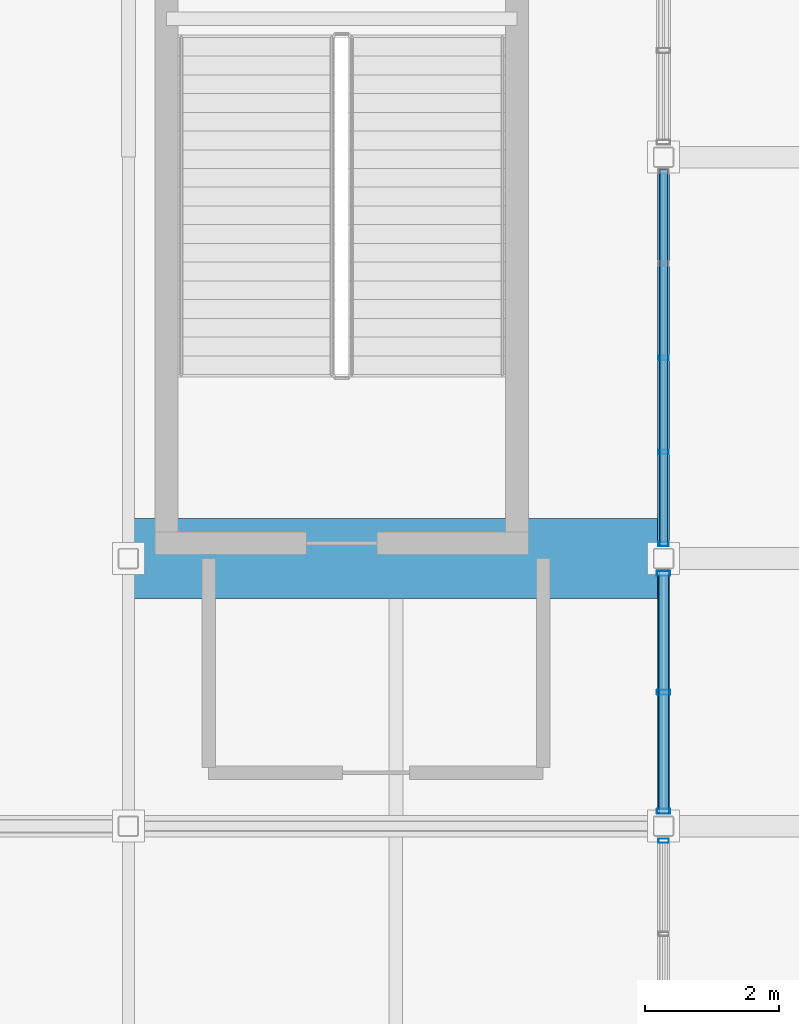
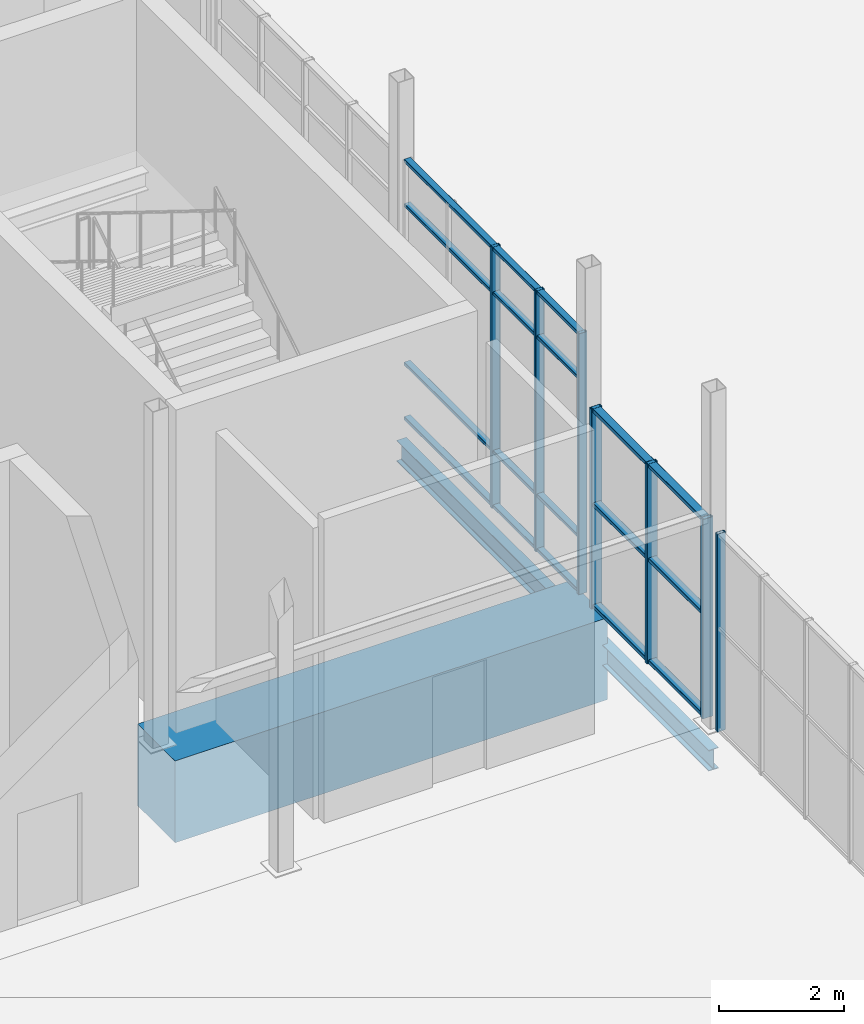
# One storey, part 33 of 140: 14 members, 3 beams, 3 elements without a shape of their own.
"""IFC4 building model written with IfcOpenShell, lengths in metres."""

import ifcopenshell
import ifcopenshell.guid

model = None  # the IFC model being written
_history = None  # IfcOwnerHistory: only IFC2X3 demands one
_inside = {}  # id of a spatial element -> (the spatial element, [elements in it])
_under = {}  # id of a project, library or spatial element -> (it, [spatial elements below it])
_declared = {}  # id of a project -> (the project, [libraries it declares])
_typed = {}  # id of a type object -> (the type object, [elements of that type])
_made_of = {}  # id of a material, layer set ... -> (it, [elements and type objects made of it])


def new_model(schema):
    """Start an empty IFC model of exactly this schema.

    Asked for "IFC4X3", IfcOpenShell would pick the latest addendum, in which some entities
    have other attributes; the version numbers below select the first issue.
    IFC2X3 requires an IfcOwnerHistory on every rooted entity: one is made here for all.
    """
    global model, _history
    if schema == "IFC4X3":
        model = ifcopenshell.file(schema_version=(4, 3, 0, 0))
    else:
        model = ifcopenshell.file(schema=schema)
    _inside.clear()
    _under.clear()
    _declared.clear()
    _typed.clear()
    _made_of.clear()
    _history = None
    if model.schema == "IFC2X3":
        org = make("IfcOrganization", Name="unknown")
        user = make(
            "IfcPersonAndOrganization",
            ThePerson=make("IfcPerson", FamilyName="unknown"),
            TheOrganization=org,
        )
        app = make(
            "IfcApplication",
            ApplicationDeveloper=org,
            Version="unknown",
            ApplicationFullName="unknown",
            ApplicationIdentifier="unknown",
        )
        _history = make(
            "IfcOwnerHistory",
            OwningUser=user,
            OwningApplication=app,
            ChangeAction="ADDED",
            CreationDate=0,
        )
    return model


def make(cls, **values):
    """One entity of the class cls with the attributes given. An attribute that is None is left unset."""
    return model.create_entity(
        cls, **{name: value for name, value in values.items() if value is not None}
    )


def rooted(cls, **values):
    """An entity with a GlobalId (a new one), such as an element, a storey or a relation."""
    return make(cls, GlobalId=ifcopenshell.guid.new(), OwnerHistory=_history, **values)


def si_unit(unit_type, name, prefix=None):
    """IfcSIUnit, for example si_unit("LENGTHUNIT", "METRE", prefix="MILLI")."""
    return make("IfcSIUnit", UnitType=unit_type, Prefix=prefix, Name=name)


def assignment(units):
    """IfcUnitAssignment: the units of a project."""
    return None if units is None else make("IfcUnitAssignment", Units=units)


def point(xyz):
    """IfcCartesianPoint."""
    return None if xyz is None else make("IfcCartesianPoint", Coordinates=xyz)


def direction(xyz):
    """IfcDirection."""
    return None if xyz is None else make("IfcDirection", DirectionRatios=xyz)


def frame(location, z_axis=None, x_axis=None):
    """IfcAxis2Placement3D, a coordinate frame: its origin and axes. An axis left out is left unset."""
    return make(
        "IfcAxis2Placement3D",
        Location=point(location),
        Axis=direction(z_axis),
        RefDirection=direction(x_axis),
    )


def frame_2d(location, x_axis=None):
    """IfcAxis2Placement2D, a coordinate frame in the plane: its origin and x axis."""
    return make(
        "IfcAxis2Placement2D", Location=point(location), RefDirection=direction(x_axis)
    )


def origin():
    """The frame at (0, 0, 0) with its axes left unset."""
    return frame((0.0, 0.0, 0.0))


def origin_2d():
    """The frame at (0, 0) in the plane with its x axis left unset."""
    return frame_2d((0.0, 0.0))


def place(relative_to, where):
    """IfcLocalPlacement: puts the frame where relative to a parent placement (None: the world)."""
    return make(
        "IfcLocalPlacement", PlacementRelTo=relative_to, RelativePlacement=where
    )


def context(
    kind, dimensions, precision=None, world=None, true_north=None, identifier=None
):
    """IfcGeometricRepresentationContext, for example the 3D "Model" context."""
    return make(
        "IfcGeometricRepresentationContext",
        ContextIdentifier=identifier,
        ContextType=kind,
        CoordinateSpaceDimension=dimensions,
        Precision=precision,
        WorldCoordinateSystem=world,
        TrueNorth=true_north,
    )


def subcontext(parent, identifier, kind, view, scale=None):
    """IfcGeometricRepresentationSubContext, for example "Body" below "Model"."""
    return make(
        "IfcGeometricRepresentationSubContext",
        ContextIdentifier=identifier,
        ContextType=kind,
        ParentContext=parent,
        TargetScale=scale,
        TargetView=view,
    )


def project(units=None, contexts=None):
    """IfcProject with its units and contexts."""
    return rooted(
        "IfcProject",
        Name="project",
        RepresentationContexts=contexts,
        UnitsInContext=assignment(units),
    )


def spatial(cls, under=None, at=None, **own):
    """A site, building, storey or space (cls), placed at a placement, below another one or the project."""
    s = rooted(cls, ObjectPlacement=at, **own)
    if under is not None:
        _under.setdefault(under.id(), (under, []))[1].append(s)
    return s


def profile(cls, at=None, kind="AREA", **sizes):
    """A parametric profile (cls). Its sizes go by their IFC names, for example OverallWidth=200.0."""
    return make(cls, ProfileType=kind, Position=at, **sizes)


def rectangle(**sizes):
    """IfcRectangleProfileDef."""
    return profile("IfcRectangleProfileDef", **sizes)


def hollow_rectangle(**sizes):
    """IfcRectangleHollowProfileDef."""
    return profile("IfcRectangleHollowProfileDef", **sizes)


def i_section(**sizes):
    """IfcIShapeProfileDef."""
    return profile("IfcIShapeProfileDef", **sizes)


def extrude(swept, where, along, depth):
    """IfcExtrudedAreaSolid: the profile swept, set in the frame where, extruded along a direction by depth."""
    return make(
        "IfcExtrudedAreaSolid",
        SweptArea=swept,
        Position=where,
        ExtrudedDirection=direction(along),
        Depth=depth,
    )


def shape(context_of_items, identifier, shape_type, items):
    """IfcShapeRepresentation: the items that make up one representation, for example the "Body"."""
    return make(
        "IfcShapeRepresentation",
        ContextOfItems=context_of_items,
        RepresentationIdentifier=identifier,
        RepresentationType=shape_type,
        Items=items,
    )


def material(Name=None, Category=None):
    """IfcMaterial."""
    return make("IfcMaterial", Name=Name, Category=Category)


def material_profile(
    of_material, cross_section, Name=None, Category=None, Priority=None
):
    """IfcMaterialProfile: a cross section and its material."""
    return make(
        "IfcMaterialProfile",
        Name=Name,
        Material=of_material,
        Profile=cross_section,
        Priority=Priority,
        Category=Category,
    )


def profile_set(profiles, Name=None, composite=None):
    """IfcMaterialProfileSet."""
    return make(
        "IfcMaterialProfileSet",
        Name=Name,
        MaterialProfiles=profiles,
        CompositeProfile=composite,
    )


def made_of(thing, what):
    """Note that an element or type object is made of a material, layer set ...; save() writes the relation."""
    if what is not None:
        _made_of.setdefault(what.id(), (what, []))[1].append(thing)
    return thing


def type_object(cls, material=None, **own):
    """A type object (cls), such as IfcWallType, which elements share."""
    return made_of(rooted(cls, **own), material)


def element(
    cls,
    number,
    at=None,
    inside=None,
    cuts=None,
    type_object=None,
    material=None,
    context=None,
    identifier="Body",
    shape_type=None,
    held_by="IfcProductDefinitionShape",
    body=None,
    shapes=None,
    **own,
):
    """One element of the class cls, such as IfcWall. Its Tag is "e" and its number.

    at: its placement. inside: the storey or other place that contains it. cuts: it is an
    opening in that element (IfcRelVoidsElement). A single representation is given by context,
    identifier, shape_type and body (its items); several are given by shapes. held_by: the class
    of the entity that holds the representations. save() writes the other relations.
    """
    e = rooted(cls, Tag="e%d" % number, ObjectPlacement=at, **own)
    if body is not None:
        shapes = [shape(context, identifier, shape_type, body)]
    if shapes is not None:
        e.Representation = make(held_by, Representations=shapes)
    if inside is not None:
        _inside.setdefault(inside.id(), (inside, []))[1].append(e)
    if cuts is not None:
        rooted(
            "IfcRelVoidsElement", RelatingBuildingElement=cuts, RelatedOpeningElement=e
        )
    if type_object is not None:
        _typed.setdefault(type_object.id(), (type_object, []))[1].append(e)
    return made_of(e, material)


def aggregate(whole, parts):
    """IfcRelAggregates: a whole, such as a stair, and the parts it consists of."""
    return rooted("IfcRelAggregates", RelatingObject=whole, RelatedObjects=parts)


def save(model, path):
    """Write the relations noted so far, then the file.

    IfcRelAggregates (storeys below a building ...), IfcRelContainedInSpatialStructure (elements
    in a storey), IfcRelDefinesByType, IfcRelAssociatesMaterial and IfcRelDeclares: one each for
    every whole, place, type object, material and project.
    """
    for whole, parts in _under.values():
        aggregate(whole, parts)
    for where, things in _inside.values():
        rooted(
            "IfcRelContainedInSpatialStructure",
            RelatedElements=things,
            RelatingStructure=where,
        )
    for kind, things in _typed.values():
        rooted("IfcRelDefinesByType", RelatedObjects=things, RelatingType=kind)
    for what, things in _made_of.values():
        rooted("IfcRelAssociatesMaterial", RelatedObjects=things, RelatingMaterial=what)
    for by, libraries in _declared.values():
        rooted("IfcRelDeclares", RelatingContext=by, RelatedDefinitions=libraries)
    model.write(path)


model = new_model("IFC4")

# Units and contexts
model_context = context("Model", 3, precision=1e-05, world=origin(), true_north=direction((0.0, 1.0)))
body_context = subcontext(model_context, "Body", "Model", "MODEL_VIEW")
ifc_project = project(units=[si_unit("LENGTHUNIT", "METRE"), si_unit("AREAUNIT", "SQUARE_METRE"), si_unit("VOLUMEUNIT", "CUBIC_METRE"), si_unit("PLANEANGLEUNIT", "RADIAN"), si_unit("MASSUNIT", "GRAM", prefix="KILO")], contexts=[model_context])

# Site, building, storey
site_placement = place(None, origin())
site = spatial("IfcSite", under=ifc_project, at=site_placement, CompositionType="ELEMENT")
building_placement = place(site_placement, origin())
building = spatial("IfcBuilding", under=site, at=building_placement, Name="Verrall Gate Interchange", CompositionType="ELEMENT")
storey_placement = place(building_placement, origin())
storey = spatial("IfcBuildingStorey", under=building, at=storey_placement, Name="L01", CompositionType="ELEMENT", Elevation=0.0)

# Beams
ifc_material_1 = material(Name="Structural Steel CSA G40.21 350W", Category="steel")
ifc_material_profile_1 = material_profile(ifc_material_1, i_section(OverallWidth=0.178955078125, OverallDepth=0.409912109375, WebThickness=0.0087890625, FlangeThickness=0.014404296875, FilletRadius=0.011962890625, at=origin_2d()), Name="W410x67")
ifc_profile_set_1 = profile_set([ifc_material_profile_1], Name="Structural Steel CSA G40.21 350W")
beam_type_1 = type_object("IfcBeamType", Name="B-12 Structural Beam W410x67", PredefinedType="BEAM", material=ifc_profile_set_1)
beam_1_placement = place(storey_placement, frame((108.0, 12.0, -0.705078125), z_axis=(0.0, 1.0, 0.0), x_axis=(-1.0, 0.0, 0.0)))
element("IfcBeam", 1, at=beam_1_placement, inside=storey, type_object=beam_type_1, Name="L01 Girder BM-L01-1171 (B-12)", PredefinedType="BEAM", context=body_context, shape_type="SweptSolid", body=[
    extrude(i_section(OverallWidth=0.178955078125, OverallDepth=0.409912109375, WebThickness=0.0087890625, FlangeThickness=0.014404296875, FilletRadius=0.011962890625, at=origin_2d()), origin(), (0.0, 0.0, 1.0), 4.0),
])
beam_2_placement = place(storey_placement, frame((108.0, 16.0, -0.705078125), z_axis=(0.0, 1.0, 0.0), x_axis=(-1.0, 0.0, 0.0)))
element("IfcBeam", 2, at=beam_2_placement, inside=storey, type_object=beam_type_1, Name="L01 Girder BM-L01-1172 (B-12)", PredefinedType="BEAM", context=body_context, shape_type="SweptSolid", body=[
    extrude(i_section(OverallWidth=0.178955078125, OverallDepth=0.409912109375, WebThickness=0.0087890625, FlangeThickness=0.014404296875, FilletRadius=0.011962890625, at=origin_2d()), origin(), (0.0, 0.0, 1.0), 6.0),
])

# Curtain wall, member
ifc_material_2 = material(Name="Thermally Broken Anodized Aluminium Curtain Wall Framing", Category="aluminium")
curtain_wall_type_1 = type_object("IfcCurtainWallType", Name="CW-02 Unitized Curtain Wall 7131x3870", PredefinedType="NOTDEFINED", material=ifc_material_2)
curtain_wall_1_placement = place(storey_placement, origin())
curtain_wall_1 = element("IfcCurtainWall", 3, at=curtain_wall_1_placement, inside=storey, type_object=curtain_wall_type_1, Name="L01 Unitized Curtain Wall CW-L01-002", PredefinedType="NOTDEFINED")
ifc_material_3 = material(Name="Thermally Broken Anodized Aluminium Curtain Wall Framing", Category="aluminium")
ifc_material_profile_2 = material_profile(ifc_material_3, hollow_rectangle(XDim=0.06494140625, YDim=0.159912109375, WallThickness=0.00390625, InnerFilletRadius=0.00390625, OuterFilletRadius=0.008056640625, at=origin_2d()), Name="CWM160x65x4")
ifc_profile_set_2 = profile_set([ifc_material_profile_2], Name="Thermally Broken Anodized Aluminium Curtain Wall Framing")
member_type_1 = type_object("IfcMemberType", Name="CM-01 Curtain Mullion CWM160x65x4", PredefinedType="MULLION", material=ifc_profile_set_2)
member_1_placement = place(storey_placement, frame((108.0, 11.782958984375, 0.0), z_axis=(0.0, 0.0, 1.0), x_axis=(0.0, 1.0, 0.0)))
member_1 = element("IfcMember", 4, at=member_1_placement, type_object=member_type_1, Name="CW-L01-002 Mullion 6", PredefinedType="MULLION", context=body_context, shape_type="SweptSolid", body=[
    extrude(hollow_rectangle(XDim=0.06494140625, YDim=0.159912109375, WallThickness=0.00390625, InnerFilletRadius=0.00390625, OuterFilletRadius=0.008056640625, at=origin_2d()), origin(), (0.0, 0.0, 1.0), 3.8701171875),
])
aggregate(curtain_wall_1, [member_1])

# Curtain wall, members
ifc_material_4 = material(Name="Thermally Broken Anodized Aluminium Curtain Wall Framing", Category="aluminium")
curtain_wall_type_2 = type_object("IfcCurtainWallType", Name="CW-04 Unitized Curtain Wall 5631x5100", PredefinedType="NOTDEFINED", material=ifc_material_4)
curtain_wall_2_placement = place(storey_placement, origin())
curtain_wall_2 = element("IfcCurtainWall", 5, at=curtain_wall_2_placement, inside=storey, type_object=curtain_wall_type_2, Name="L01 Unitized Curtain Wall CW-L01-004", PredefinedType="NOTDEFINED")
member_2_placement = place(storey_placement, frame((108.0, 16.217041015625, 0.0), z_axis=(0.0, 0.0, 1.0), x_axis=(0.0, 1.0, 0.0)))
member_2 = element("IfcMember", 6, at=member_2_placement, type_object=member_type_1, Name="CW-L01-004 Mullion 1", PredefinedType="MULLION", context=body_context, shape_type="SweptSolid", body=[
    extrude(hollow_rectangle(XDim=0.06494140625, YDim=0.159912109375, WallThickness=0.00390625, InnerFilletRadius=0.00390625, OuterFilletRadius=0.008056640625, at=origin_2d()), origin(), (0.0, 0.0, 1.0), 5.10009765625),
])
member_3_placement = place(storey_placement, frame((108.0, 17.59228515625, 0.0), z_axis=(0.0, 0.0, 1.0), x_axis=(0.0, 1.0, 0.0)))
member_3 = element("IfcMember", 7, at=member_3_placement, type_object=member_type_1, Name="CW-L01-004 Mullion 2", PredefinedType="MULLION", context=body_context, shape_type="SweptSolid", body=[
    extrude(hollow_rectangle(XDim=0.06494140625, YDim=0.159912109375, WallThickness=0.00390625, InnerFilletRadius=0.00390625, OuterFilletRadius=0.008056640625, at=origin_2d()), origin(), (0.0, 0.0, 1.0), 5.10009765625),
])
member_4_placement = place(storey_placement, frame((108.0, 19.0, 0.0), z_axis=(0.0, 0.0, 1.0), x_axis=(0.0, 1.0, 0.0)))
member_4 = element("IfcMember", 8, at=member_4_placement, type_object=member_type_1, Name="CW-L01-004 Mullion 3", PredefinedType="MULLION", context=body_context, shape_type="SweptSolid", body=[
    extrude(hollow_rectangle(XDim=0.06494140625, YDim=0.159912109375, WallThickness=0.00390625, InnerFilletRadius=0.00390625, OuterFilletRadius=0.008056640625, at=origin_2d()), origin(), (0.0, 0.0, 1.0), 5.10009765625),
])

ifc_material_5 = material(Name="Thermally Broken Anodized Aluminium Curtain Wall Framing", Category="aluminium")
curtain_wall_type_3 = type_object("IfcCurtainWallType", Name="CW-03 Unitized Curtain Wall 3631x3900", PredefinedType="NOTDEFINED", material=ifc_material_5)
curtain_wall_3_placement = place(storey_placement, origin())
curtain_wall_3 = element("IfcCurtainWall", 9, at=curtain_wall_3_placement, inside=storey, type_object=curtain_wall_type_3, Name="L01 Unitized Curtain Wall CW-L01-003", PredefinedType="NOTDEFINED")
ifc_material_6 = material(Name="Thermally Broken Anodized Aluminium Curtain Wall Framing", Category="aluminium")
ifc_material_profile_3 = material_profile(ifc_material_6, hollow_rectangle(XDim=0.074951171875, YDim=0.199951171875, WallThickness=0.0048828125, InnerFilletRadius=0.0048828125, OuterFilletRadius=0.010009765625, at=origin_2d()), Name="CWM200x75x5")
ifc_profile_set_3 = profile_set([ifc_material_profile_3], Name="Thermally Broken Anodized Aluminium Curtain Wall Framing")
member_type_2 = type_object("IfcMemberType", Name="CM-02 Curtain Mullion CWM200x75x5", PredefinedType="MULLION", material=ifc_profile_set_3)
member_5_placement = place(storey_placement, frame((108.0, 12.221923828125, 0.0), z_axis=(0.0, 0.0, 1.0), x_axis=(0.0, 1.0, 0.0)))
member_5 = element("IfcMember", 10, at=member_5_placement, type_object=member_type_2, Name="CW-L01-003 Mullion 1", PredefinedType="MULLION", context=body_context, shape_type="SweptSolid", body=[
    extrude(hollow_rectangle(XDim=0.074951171875, YDim=0.199951171875, WallThickness=0.0048828125, InnerFilletRadius=0.0048828125, OuterFilletRadius=0.010009765625, at=origin_2d()), origin(), (0.0, 0.0, 1.0), 3.89990234375),
])
member_6_placement = place(storey_placement, frame((108.0, 14.0, 0.0), z_axis=(0.0, 0.0, 1.0), x_axis=(0.0, 1.0, 0.0)))
member_6 = element("IfcMember", 11, at=member_6_placement, type_object=member_type_2, Name="CW-L01-003 Mullion 2", PredefinedType="MULLION", context=body_context, shape_type="SweptSolid", body=[
    extrude(hollow_rectangle(XDim=0.074951171875, YDim=0.199951171875, WallThickness=0.0048828125, InnerFilletRadius=0.0048828125, OuterFilletRadius=0.010009765625, at=origin_2d()), origin(), (0.0, 0.0, 1.0), 3.89990234375),
])
member_7_placement = place(storey_placement, frame((108.0, 15.778076171875, 0.0), z_axis=(0.0, 0.0, 1.0), x_axis=(0.0, 1.0, 0.0)))
member_7 = element("IfcMember", 12, at=member_7_placement, type_object=member_type_2, Name="CW-L01-003 Mullion 3", PredefinedType="MULLION", context=body_context, shape_type="SweptSolid", body=[
    extrude(hollow_rectangle(XDim=0.074951171875, YDim=0.199951171875, WallThickness=0.0048828125, InnerFilletRadius=0.0048828125, OuterFilletRadius=0.010009765625, at=origin_2d()), origin(), (0.0, 0.0, 1.0), 3.89990234375),
])

# Member
ifc_material_7 = material(Name="Thermally Broken Anodized Aluminium Curtain Wall Framing", Category="aluminium")
ifc_material_profile_4 = material_profile(ifc_material_7, hollow_rectangle(XDim=0.1201171875, YDim=0.06494140625, WallThickness=0.00390625, InnerFilletRadius=0.00390625, OuterFilletRadius=0.008056640625, at=origin_2d()), Name="CWT120x65x4")
ifc_profile_set_4 = profile_set([ifc_material_profile_4], Name="Thermally Broken Anodized Aluminium Curtain Wall Framing")
member_type_3 = type_object("IfcMemberType", Name="CT-01 Curtain Transom CWT120x65x4", PredefinedType="USERDEFINED", material=ifc_profile_set_4)
member_8_placement = place(storey_placement, frame((108.0, 16.1845703125, 0.032470703125), z_axis=(0.0, 1.0, 0.0), x_axis=(-1.0, 0.0, 0.0)))
member_8 = element("IfcMember", 13, at=member_8_placement, type_object=member_type_3, Name="CW-L01-004 Transom 1", ObjectType="TRANSOM", PredefinedType="USERDEFINED", context=body_context, shape_type="SweptSolid", body=[
    extrude(hollow_rectangle(XDim=0.1201171875, YDim=0.06494140625, WallThickness=0.00390625, InnerFilletRadius=0.00390625, OuterFilletRadius=0.008056640625, at=origin_2d()), origin(), (0.0, 0.0, 1.0), 5.630859375),
])

member_9_placement = place(storey_placement, frame((108.0, 16.1845703125, 1.10009765625), z_axis=(0.0, 1.0, 0.0), x_axis=(-1.0, 0.0, 0.0)))
member_9 = element("IfcMember", 14, at=member_9_placement, type_object=member_type_3, Name="CW-L01-004 Transom 2", ObjectType="TRANSOM", PredefinedType="USERDEFINED", context=body_context, shape_type="SweptSolid", body=[
    extrude(hollow_rectangle(XDim=0.1201171875, YDim=0.06494140625, WallThickness=0.00390625, InnerFilletRadius=0.00390625, OuterFilletRadius=0.008056640625, at=origin_2d()), origin(), (0.0, 0.0, 1.0), 5.630859375),
])

member_10_placement = place(storey_placement, frame((108.0, 16.1845703125, 4.199951171875), z_axis=(0.0, 1.0, 0.0), x_axis=(-1.0, 0.0, 0.0)))
member_10 = element("IfcMember", 15, at=member_10_placement, type_object=member_type_3, Name="CW-L01-004 Transom 3", ObjectType="TRANSOM", PredefinedType="USERDEFINED", context=body_context, shape_type="SweptSolid", body=[
    extrude(hollow_rectangle(XDim=0.1201171875, YDim=0.06494140625, WallThickness=0.00390625, InnerFilletRadius=0.00390625, OuterFilletRadius=0.008056640625, at=origin_2d()), origin(), (0.0, 0.0, 1.0), 5.630859375),
])

member_11_placement = place(storey_placement, frame((108.0, 16.1845703125, 5.0673828125), z_axis=(0.0, 1.0, 0.0), x_axis=(-1.0, 0.0, 0.0)))
member_11 = element("IfcMember", 16, at=member_11_placement, type_object=member_type_3, Name="CW-L01-004 Transom 4", ObjectType="TRANSOM", PredefinedType="USERDEFINED", context=body_context, shape_type="SweptSolid", body=[
    extrude(hollow_rectangle(XDim=0.1201171875, YDim=0.06494140625, WallThickness=0.00390625, InnerFilletRadius=0.00390625, OuterFilletRadius=0.008056640625, at=origin_2d()), origin(), (0.0, 0.0, 1.0), 5.630859375),
])

aggregate(curtain_wall_2, [member_2, member_3, member_4, member_8, member_9, member_10, member_11])

ifc_material_8 = material(Name="Thermally Broken Anodized Aluminium Curtain Wall Framing", Category="aluminium")
ifc_material_profile_5 = material_profile(ifc_material_8, hollow_rectangle(XDim=0.14990234375, YDim=0.074951171875, WallThickness=0.00439453125, InnerFilletRadius=0.00439453125, OuterFilletRadius=0.009033203125, at=origin_2d()), Name="CWT150x75x4.5")
ifc_profile_set_5 = profile_set([ifc_material_profile_5], Name="Thermally Broken Anodized Aluminium Curtain Wall Framing")
member_type_4 = type_object("IfcMemberType", Name="CT-02 Curtain Transom CWT150x75x4.5", PredefinedType="USERDEFINED", material=ifc_profile_set_5)
member_12_placement = place(storey_placement, frame((108.0, 12.1845703125, 0.03759765625), z_axis=(0.0, 1.0, 0.0), x_axis=(-1.0, 0.0, 0.0)))
member_12 = element("IfcMember", 17, at=member_12_placement, type_object=member_type_4, Name="CW-L01-003 Transom 1", ObjectType="TRANSOM", PredefinedType="USERDEFINED", context=body_context, shape_type="SweptSolid", body=[
    extrude(hollow_rectangle(XDim=0.14990234375, YDim=0.074951171875, WallThickness=0.00439453125, InnerFilletRadius=0.00439453125, OuterFilletRadius=0.009033203125, at=origin_2d()), origin(), (0.0, 0.0, 1.0), 3.630859375),
])

member_13_placement = place(storey_placement, frame((108.0, 12.1845703125, 2.028076171875), z_axis=(0.0, 1.0, 0.0), x_axis=(-1.0, 0.0, 0.0)))
member_13 = element("IfcMember", 18, at=member_13_placement, type_object=member_type_4, Name="CW-L01-003 Transom 2", ObjectType="TRANSOM", PredefinedType="USERDEFINED", context=body_context, shape_type="SweptSolid", body=[
    extrude(hollow_rectangle(XDim=0.14990234375, YDim=0.074951171875, WallThickness=0.00439453125, InnerFilletRadius=0.00439453125, OuterFilletRadius=0.009033203125, at=origin_2d()), origin(), (0.0, 0.0, 1.0), 3.630859375),
])

member_14_placement = place(storey_placement, frame((108.0, 12.1845703125, 3.862548828125), z_axis=(0.0, 1.0, 0.0), x_axis=(-1.0, 0.0, 0.0)))
member_14 = element("IfcMember", 19, at=member_14_placement, type_object=member_type_4, Name="CW-L01-003 Transom 3", ObjectType="TRANSOM", PredefinedType="USERDEFINED", context=body_context, shape_type="SweptSolid", body=[
    extrude(hollow_rectangle(XDim=0.14990234375, YDim=0.074951171875, WallThickness=0.00439453125, InnerFilletRadius=0.00439453125, OuterFilletRadius=0.009033203125, at=origin_2d()), origin(), (0.0, 0.0, 1.0), 3.630859375),
])

aggregate(curtain_wall_3, [member_5, member_6, member_7, member_12, member_13, member_14])

# Beam
ifc_material_9 = material(Name="Concrete CSA A23.1 40 MPa (Class N)", Category="concrete")
ifc_material_profile_6 = material_profile(ifc_material_9, rectangle(XDim=1.199951171875, YDim=1.60009765625, at=origin_2d()), Name="RC1200x1600")
ifc_profile_set_6 = profile_set([ifc_material_profile_6], Name="Concrete CSA A23.1 40 MPa (Class N)")
beam_type_2 = type_object("IfcBeamType", Name="TG-01 Transfer Girder RC1200x1600", PredefinedType="USERDEFINED", material=ifc_profile_set_6)
beam_3_placement = place(storey_placement, frame((100.0, 16.0, -0.800048828125), z_axis=(1.0, 0.0, 0.0), x_axis=(0.0, 1.0, 0.0)))
element("IfcBeam", 20, at=beam_3_placement, inside=storey, type_object=beam_type_2, Name="L01 Girder BM-L01-0798 (TG-01)", ObjectType="TRANSFER_GIRDER", PredefinedType="USERDEFINED", context=body_context, shape_type="SweptSolid", body=[
    extrude(rectangle(XDim=1.199951171875, YDim=1.60009765625, at=origin_2d()), origin(), (0.0, 0.0, 1.0), 8.0),
])

save(model, "model.ifc")
